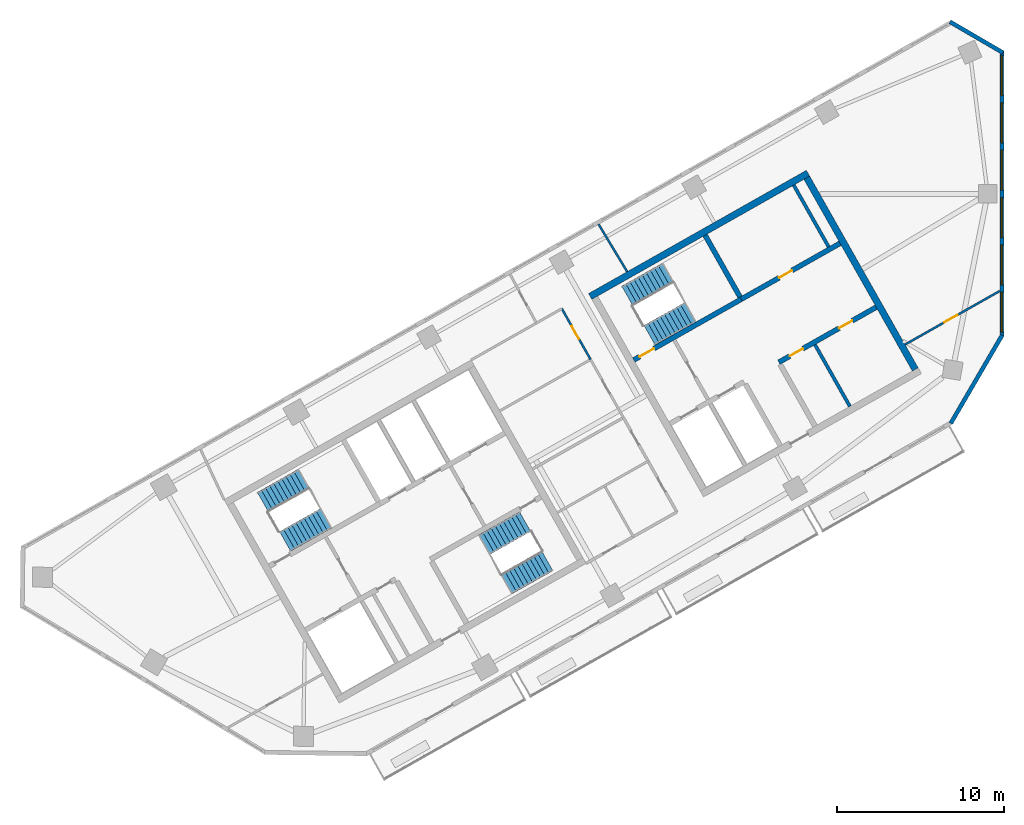
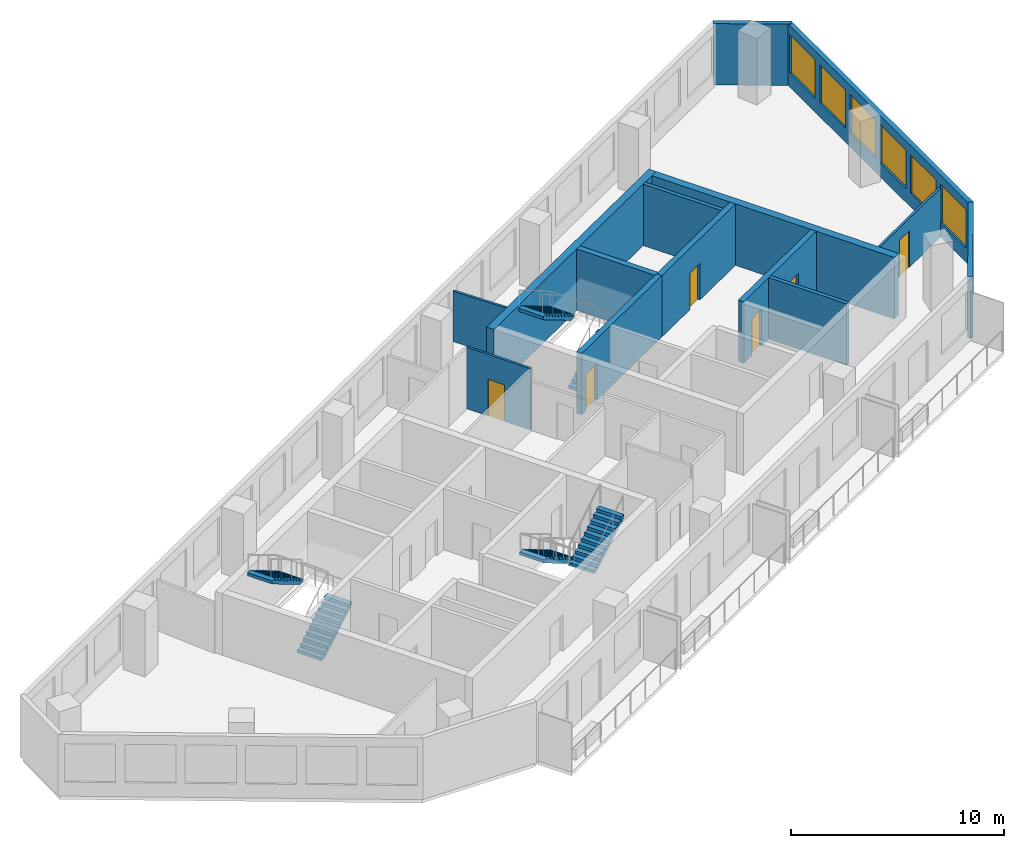
# One storey, part 5 of 7: 14 walls, 6 doors, 6 stair flights, 6 windows, 12 openings, 3 elements without a shape of their own.
"""IFC4 building model written with IfcOpenShell, lengths in metres."""

from ifc_helpers import new_model, si_unit, direction, frame, frame_2d, origin, place, context, subcontext, project, spatial, polyline, rectangle, outline, extrude, material, layer, layer_set, type_object, element, fill, aggregate, save


model = new_model("IFC4")

# Units and contexts
model_context = context("Model", 3, precision=1e-05, world=origin(), true_north=direction((0.0, 1.0)))
body_context = subcontext(model_context, "Body", "Model", "MODEL_VIEW")
ifc_project = project(units=[si_unit("LENGTHUNIT", "METRE"), si_unit("AREAUNIT", "SQUARE_METRE"), si_unit("VOLUMEUNIT", "CUBIC_METRE"), si_unit("PLANEANGLEUNIT", "RADIAN"), si_unit("MASSUNIT", "GRAM", prefix="KILO")], contexts=[model_context])

# Site, building, storey
site_placement = place(None, origin())
site = spatial("IfcSite", under=ifc_project, at=site_placement, CompositionType="ELEMENT")
building_placement = place(site_placement, origin())
building = spatial("IfcBuilding", under=site, at=building_placement, Name="Binnacle Exchange Tower", CompositionType="ELEMENT")
storey_placement = place(building_placement, frame((0.0, 0.0, 266.5)))
storey = spatial("IfcBuildingStorey", under=building, at=storey_placement, Name="L59", CompositionType="ELEMENT", Elevation=266.5)

# Wall
ifc_material_1 = material(Name="Gypsum partition fire rated")
ifc_layer_1 = layer(ifc_material_1, 0.199951171875)
ifc_layer_set_1 = layer_set([ifc_layer_1], Name="Core partition 200")
wall_type_1 = type_object("IfcWallType", Name="Core partition 200", PredefinedType="PARTITIONING", material=ifc_layer_set_1)
wall_1_placement = place(storey_placement, frame((-11.201904296875, 50.96240234375, 0.0), z_axis=(0.0, 0.0, 1.0), x_axis=(0.492441437811, -0.870345580977, 0.0)))
element("IfcWall", 1, at=wall_1_placement, inside=storey, type_object=wall_type_1, Name="Core wall CRWC19", PredefinedType="PARTITIONING", context=body_context, shape_type="SweptSolid", body=[
    extrude(rectangle(XDim=4.250244140625, YDim=0.199951171875, at=frame_2d((2.125, 0.0))), origin(), (0.0, 0.0, 1.0), 3.52001953125),
])

# Wall, openings, doors
ifc_material_2 = material(Name="Concrete C70/85", Category="concrete")
ifc_layer_2 = layer(ifc_material_2, 0.300048828125)
ifc_layer_set_2 = layer_set([ifc_layer_2], Name="Core wall - front 300")
wall_type_2 = type_object("IfcWallType", Name="Core wall - front 300", PredefinedType="SOLIDWALL", material=ifc_layer_set_2)
wall_2_placement = place(storey_placement, frame((-13.364501953125, 49.910888671875, 0.0), z_axis=(0.0, 0.0, 1.0), x_axis=(0.870347618718, 0.492437836272, 0.0)))
wall_2 = element("IfcWall", 2, at=wall_2_placement, inside=storey, type_object=wall_type_2, Name="Core wall CRWC3", PredefinedType="SOLIDWALL", context=body_context, shape_type="SweptSolid", body=[
    extrude(rectangle(XDim=6.699951171875, YDim=0.300048828125, at=frame_2d((3.35009765625, 0.0))), origin(), (0.0, 0.0, 1.0), 3.52001953125),
])
opening_1_placement = place(wall_2_placement, frame((0.75, 0.0, 0.0)))
opening_1 = element("IfcOpeningElement", 3, at=opening_1_placement, cuts=wall_2, Name="Opening DC18", PredefinedType="OPENING", context=body_context, shape_type="SweptSolid", body=[
    extrude(rectangle(XDim=0.89990234375, YDim=2.10009765625, at=frame_2d((0.449951171875, 1.050048828125))), frame((0.0, 0.159912109375, 0.0), z_axis=(0.0, -1.0, 0.0), x_axis=(1.0, 0.0, 0.0)), (0.0, 0.0, 1.0), 0.320068359375),
])
opening_2_placement = place(wall_2_placement, frame((4.14990234375, 0.0, 0.0)))
opening_2 = element("IfcOpeningElement", 4, at=opening_2_placement, cuts=wall_2, Name="Opening DC19", PredefinedType="OPENING", context=body_context, shape_type="SweptSolid", body=[
    extrude(rectangle(XDim=0.89990234375, YDim=2.10009765625, at=frame_2d((0.449951171875, 1.050048828125))), frame((0.0, 0.159912109375, 0.0), z_axis=(0.0, -1.0, 0.0), x_axis=(1.0, 0.0, 0.0)), (0.0, 0.0, 1.0), 0.320068359375),
])
ifc_material_3 = material(Name="Steel door leaf", Category="steel")
door_type_1 = type_object("IfcDoorType", Name="Fire door 900", OperationType="NOTDEFINED", PredefinedType="DOOR", material=ifc_material_3)
door_1_placement = place(opening_1_placement, frame((0.89990234375, 0.0, 0.0), z_axis=(0.0, 0.0, 1.0), x_axis=(-1.0, 0.0, 0.0)))
door_1 = element("IfcDoor", 5, at=door_1_placement, inside=storey, type_object=door_type_1, Name="Core room door FIBRE ENTRY ROOM", OperationType="SINGLE_SWING_RIGHT", OverallHeight=2.10009765625, OverallWidth=0.89990234375, PredefinedType="DOOR", context=body_context, shape_type="SweptSolid", body=[
    extrude(rectangle(XDim=0.89990234375, YDim=2.10009765625, at=frame_2d((0.449951171875, 1.050048828125))), frame((0.0, 0.02490234375, 0.0), z_axis=(0.0, -1.0, 0.0), x_axis=(1.0, 0.0, 0.0)), (0.0, 0.0, 1.0), 0.050048828125),
])
fill(opening_1, door_1)
door_2_placement = place(opening_2_placement, frame((0.89990234375, 0.0, 0.0), z_axis=(0.0, 0.0, 1.0), x_axis=(-1.0, 0.0, 0.0)))
door_2 = element("IfcDoor", 6, at=door_2_placement, inside=storey, type_object=door_type_1, Name="Core room door TELECOM RISER ROOM", OperationType="SINGLE_SWING_LEFT", OverallHeight=2.10009765625, OverallWidth=0.89990234375, PredefinedType="DOOR", context=body_context, shape_type="SweptSolid", body=[
    extrude(rectangle(XDim=0.89990234375, YDim=2.10009765625, at=frame_2d((0.449951171875, 1.050048828125))), frame((0.0, 0.02490234375, 0.0), z_axis=(0.0, -1.0, 0.0), x_axis=(1.0, 0.0, 0.0)), (0.0, 0.0, 1.0), 0.050048828125),
])
fill(opening_2, door_2)

# Wall, opening, door
wall_3_placement = place(storey_placement, frame((-15.6181640625, 53.69140625, 0.0), z_axis=(0.0, 0.0, 1.0), x_axis=(0.870362830851, 0.492410948978, 0.0)))
wall_3 = element("IfcWall", 7, at=wall_3_placement, inside=storey, type_object=wall_type_2, Name="Core wall CRWC5", PredefinedType="SOLIDWALL", context=body_context, shape_type="SweptSolid", body=[
    extrude(rectangle(XDim=6.800048828125, YDim=0.300048828125, at=frame_2d((3.39990234375, 0.0))), origin(), (0.0, 0.0, 1.0), 3.52001953125),
])
opening_3_placement = place(wall_3_placement, frame((2.60009765625, 0.0, 0.0)))
opening_3 = element("IfcOpeningElement", 8, at=opening_3_placement, cuts=wall_3, Name="Opening DC10", PredefinedType="OPENING", context=body_context, shape_type="SweptSolid", body=[
    extrude(rectangle(XDim=0.89990234375, YDim=2.10009765625, at=frame_2d((0.449951171875, 1.050048828125))), frame((0.0, 0.159912109375, 0.0), z_axis=(0.0, -1.0, 0.0), x_axis=(1.0, 0.0, 0.0)), (0.0, 0.0, 1.0), 0.320068359375),
])
door_3_placement = place(opening_3_placement, origin())
door_3 = element("IfcDoor", 9, at=door_3_placement, inside=storey, type_object=door_type_1, Name="Core room door WORKSHOP STORE", OperationType="SINGLE_SWING_LEFT", OverallHeight=2.10009765625, OverallWidth=0.89990234375, PredefinedType="DOOR", context=body_context, shape_type="SweptSolid", body=[
    extrude(rectangle(XDim=0.89990234375, YDim=2.10009765625, at=frame_2d((0.449951171875, 1.050048828125))), frame((0.0, 0.02490234375, 0.0), z_axis=(0.0, -1.0, 0.0), x_axis=(1.0, 0.0, 0.0)), (0.0, 0.0, 1.0), 0.050048828125),
])
fill(opening_3, door_3)

# Walls
ifc_layer_3 = layer(ifc_material_2, 0.39990234375)
ifc_layer_set_3 = layer_set([ifc_layer_3], Name="Core wall - outer 400")
wall_type_3 = type_object("IfcWallType", Name="Core wall - outer 400", PredefinedType="SOLIDWALL", material=ifc_layer_set_3)
wall_4_placement = place(storey_placement, frame((-24.672119140625, 53.85400390625, 0.0), z_axis=(0.0, 0.0, 1.0), x_axis=(0.870353598469, 0.492427267353, 0.0)))
element("IfcWall", 10, at=wall_4_placement, inside=storey, type_object=wall_type_3, Name="Core wall CRWC6", PredefinedType="SOLIDWALL", context=body_context, shape_type="SweptSolid", body=[
    extrude(rectangle(XDim=15.000244140625, YDim=0.39990234375, at=frame_2d((7.5, 0.0))), origin(), (0.0, 0.0, 1.0), 3.52001953125),
])
wall_5_placement = place(storey_placement, frame((-11.6923828125, 60.968017578125, 0.0), z_axis=(0.0, 0.0, 1.0), x_axis=(0.492421663121, -0.870356769198, 0.0)))
element("IfcWall", 11, at=wall_5_placement, inside=storey, type_object=wall_type_3, Name="Core wall CRWC24", PredefinedType="SOLIDWALL", context=body_context, shape_type="SweptSolid", body=[
    extrude(rectangle(XDim=13.199951171875, YDim=0.39990234375, at=frame_2d((6.60009765625, 0.0))), origin(), (0.0, 0.0, 1.0), 3.52001953125),
])

# Wall, opening, door
ifc_layer_4 = layer(ifc_material_2, 0.300048828125)
ifc_layer_set_4 = layer_set([ifc_layer_4], Name="Core wall - stair 300")
wall_type_4 = type_object("IfcWallType", Name="Core wall - stair 300", PredefinedType="SOLIDWALL", material=ifc_layer_set_4)
wall_6_placement = place(storey_placement, frame((-22.058837890625, 50.04736328125, 0.0), z_axis=(0.0, 0.0, 1.0), x_axis=(0.87035077051, 0.49243226567, 0.0)))
wall_6 = element("IfcWall", 12, at=wall_6_placement, inside=storey, type_object=wall_type_4, Name="Core wall CRWC4", PredefinedType="SOLIDWALL", context=body_context, shape_type="SweptSolid", body=[
    extrude(rectangle(XDim=7.400146484375, YDim=0.300048828125, at=frame_2d((3.7001953125, 0.0))), origin(), (0.0, 0.0, 1.0), 3.52001953125),
])
opening_4_placement = place(wall_6_placement, frame((0.39990234375, 0.0, 0.0)))
opening_4 = element("IfcOpeningElement", 13, at=opening_4_placement, cuts=wall_6, Name="Opening DC1", PredefinedType="OPENING", context=body_context, shape_type="SweptSolid", body=[
    extrude(rectangle(XDim=1.0, YDim=2.10009765625, at=frame_2d((0.5, 1.050048828125))), frame((0.0, 0.159912109375, 0.0), z_axis=(0.0, -1.0, 0.0), x_axis=(1.0, 0.0, 0.0)), (0.0, 0.0, 1.0), 0.320068359375),
])
door_type_2 = type_object("IfcDoorType", Name="Fire door 1000", OperationType="NOTDEFINED", PredefinedType="DOOR", material=ifc_material_3)
door_4_placement = place(opening_4_placement, origin())
door_4 = element("IfcDoor", 14, at=door_4_placement, inside=storey, type_object=door_type_2, Name="Stair door ST-C1", OperationType="SINGLE_SWING_LEFT", OverallHeight=2.10009765625, OverallWidth=1.0, PredefinedType="DOOR", context=body_context, shape_type="SweptSolid", body=[
    extrude(rectangle(XDim=1.0, YDim=2.10009765625, at=frame_2d((0.5, 1.050048828125))), frame((0.0, 0.02490234375, 0.0), z_axis=(0.0, -1.0, 0.0), x_axis=(1.0, 0.0, 0.0)), (0.0, 0.0, 1.0), 0.050048828125),
])
fill(opening_4, door_4)

# Walls
wall_7_placement = place(storey_placement, frame((-17.784912109375, 57.52099609375, 0.0), z_axis=(0.0, 0.0, 1.0), x_axis=(0.492422543467, -0.870356271124, 0.0)))
element("IfcWall", 15, at=wall_7_placement, inside=storey, type_object=wall_type_4, Name="Core wall CRWC14", PredefinedType="SOLIDWALL", context=body_context, shape_type="SweptSolid", body=[
    extrude(rectangle(XDim=4.25, YDim=0.300048828125, at=frame_2d((2.125, 0.0))), origin(), (0.0, 0.0, 1.0), 3.52001953125),
])
ifc_material_4 = material(Name="Bronze aluminium cladding", Category="aluminium")
ifc_layer_5 = layer(ifc_material_4, 0.25)
ifc_layer_set_5 = layer_set([ifc_layer_5], Name="External wall - window wall 250")
wall_type_5 = type_object("IfcWallType", Name="External wall - window wall 250", PredefinedType="STANDARD", material=ifc_layer_set_5)
wall_8_placement = place(storey_placement, frame((0.01708984375, 51.529296875, 0.0), z_axis=(0.0, 0.0, 1.0), x_axis=(-0.503769237131, -0.863838269424, 0.0)))
element("IfcWall", 16, at=wall_8_placement, inside=storey, type_object=wall_type_5, Name="External wall EW-H00 L59", PredefinedType="STANDARD", context=body_context, shape_type="SweptSolid", body=[
    extrude(rectangle(XDim=6.114501953125, YDim=0.25, at=frame_2d((3.05712890625, 0.0))), origin(), (0.0, 0.0, 1.0), 3.52001953125),
])

# Wall, openings, windows
wall_9_placement = place(storey_placement, frame((0.0, 68.57177734375, 0.0), z_axis=(0.0, 0.0, 1.0), x_axis=(0.0, -1.0, 0.0)))
wall_9 = element("IfcWall", 17, at=wall_9_placement, inside=storey, type_object=wall_type_5, Name="External wall EW-H01 L59", PredefinedType="STANDARD", context=body_context, shape_type="SweptSolid", body=[
    extrude(rectangle(XDim=17.10546875, YDim=0.25, at=frame_2d((8.552734375, 0.0))), origin(), (0.0, 0.0, 1.0), 3.52001953125),
])
opening_5_placement = place(wall_9_placement, frame((14.455078125, 0.0, 0.800048828125)))
opening_5 = element("IfcOpeningElement", 18, at=opening_5_placement, cuts=wall_9, Name="Opening WR2", PredefinedType="OPENING", context=body_context, shape_type="SweptSolid", body=[
    extrude(rectangle(XDim=2.39990234375, YDim=2.199951171875, at=frame_2d((1.199951171875, 1.10009765625))), frame((0.0, 0.135009765625, 0.0), z_axis=(0.0, -1.0, 0.0), x_axis=(1.0, 0.0, 0.0)), (0.0, 0.0, 1.0), 0.27001953125),
])
opening_6_placement = place(wall_9_placement, frame((11.621826171875, 0.0, 0.800048828125)))
opening_6 = element("IfcOpeningElement", 19, at=opening_6_placement, cuts=wall_9, Name="Opening WR2", PredefinedType="OPENING", context=body_context, shape_type="SweptSolid", body=[
    extrude(rectangle(XDim=2.39990234375, YDim=2.199951171875, at=frame_2d((1.199951171875, 1.10009765625))), frame((0.0, 0.135009765625, 0.0), z_axis=(0.0, -1.0, 0.0), x_axis=(1.0, 0.0, 0.0)), (0.0, 0.0, 1.0), 0.27001953125),
])
opening_7_placement = place(wall_9_placement, frame((8.78857421875, 0.0, 0.800048828125)))
opening_7 = element("IfcOpeningElement", 20, at=opening_7_placement, cuts=wall_9, Name="Opening WR2", PredefinedType="OPENING", context=body_context, shape_type="SweptSolid", body=[
    extrude(rectangle(XDim=2.39990234375, YDim=2.199951171875, at=frame_2d((1.199951171875, 1.10009765625))), frame((0.0, 0.135009765625, 0.0), z_axis=(0.0, -1.0, 0.0), x_axis=(1.0, 0.0, 0.0)), (0.0, 0.0, 1.0), 0.27001953125),
])
opening_8_placement = place(wall_9_placement, frame((5.955078125, 0.0, 0.800048828125)))
opening_8 = element("IfcOpeningElement", 21, at=opening_8_placement, cuts=wall_9, Name="Opening WR2", PredefinedType="OPENING", context=body_context, shape_type="SweptSolid", body=[
    extrude(rectangle(XDim=2.39990234375, YDim=2.199951171875, at=frame_2d((1.199951171875, 1.10009765625))), frame((0.0, 0.135009765625, 0.0), z_axis=(0.0, -1.0, 0.0), x_axis=(1.0, 0.0, 0.0)), (0.0, 0.0, 1.0), 0.27001953125),
])
opening_9_placement = place(wall_9_placement, frame((3.121826171875, 0.0, 0.800048828125)))
opening_9 = element("IfcOpeningElement", 22, at=opening_9_placement, cuts=wall_9, Name="Opening WR2", PredefinedType="OPENING", context=body_context, shape_type="SweptSolid", body=[
    extrude(rectangle(XDim=2.39990234375, YDim=2.199951171875, at=frame_2d((1.199951171875, 1.10009765625))), frame((0.0, 0.135009765625, 0.0), z_axis=(0.0, -1.0, 0.0), x_axis=(1.0, 0.0, 0.0)), (0.0, 0.0, 1.0), 0.27001953125),
])
opening_10_placement = place(wall_9_placement, frame((0.28857421875, 0.0, 0.800048828125)))
opening_10 = element("IfcOpeningElement", 23, at=opening_10_placement, cuts=wall_9, Name="Opening WR2", PredefinedType="OPENING", context=body_context, shape_type="SweptSolid", body=[
    extrude(rectangle(XDim=2.39990234375, YDim=2.199951171875, at=frame_2d((1.199951171875, 1.10009765625))), frame((0.0, 0.135009765625, 0.0), z_axis=(0.0, -1.0, 0.0), x_axis=(1.0, 0.0, 0.0)), (0.0, 0.0, 1.0), 0.27001953125),
])
ifc_material_5 = material(Name="Bronze anodised aluminium frame", Category="aluminium")
window_type = type_object("IfcWindowType", Name="WR2 WINDOW 2400x2200", PartitioningType="SINGLE_PANEL", PredefinedType="WINDOW", material=ifc_material_5)
window_1_placement = place(opening_5_placement, origin())
window_1 = element("IfcWindow", 24, at=window_1_placement, inside=storey, type_object=window_type, Name="Window WR2 L59", OverallHeight=2.199951171875, OverallWidth=2.39990234375, PartitioningType="SINGLE_PANEL", PredefinedType="WINDOW", context=body_context, shape_type="SweptSolid", body=[
    extrude(rectangle(XDim=2.39990234375, YDim=2.199951171875, at=frame_2d((1.199951171875, 1.10009765625))), frame((0.0, 0.030029296875, 0.0), z_axis=(0.0, -1.0, 0.0), x_axis=(1.0, 0.0, 0.0)), (0.0, 0.0, 1.0), 0.06005859375),
])
fill(opening_5, window_1)
window_2_placement = place(opening_6_placement, origin())
window_2 = element("IfcWindow", 25, at=window_2_placement, inside=storey, type_object=window_type, Name="Window WR2 L59", OverallHeight=2.199951171875, OverallWidth=2.39990234375, PartitioningType="SINGLE_PANEL", PredefinedType="WINDOW", context=body_context, shape_type="SweptSolid", body=[
    extrude(rectangle(XDim=2.39990234375, YDim=2.199951171875, at=frame_2d((1.199951171875, 1.10009765625))), frame((0.0, 0.030029296875, 0.0), z_axis=(0.0, -1.0, 0.0), x_axis=(1.0, 0.0, 0.0)), (0.0, 0.0, 1.0), 0.06005859375),
])
fill(opening_6, window_2)
window_3_placement = place(opening_7_placement, origin())
window_3 = element("IfcWindow", 26, at=window_3_placement, inside=storey, type_object=window_type, Name="Window WR2 L59", OverallHeight=2.199951171875, OverallWidth=2.39990234375, PartitioningType="SINGLE_PANEL", PredefinedType="WINDOW", context=body_context, shape_type="SweptSolid", body=[
    extrude(rectangle(XDim=2.39990234375, YDim=2.199951171875, at=frame_2d((1.199951171875, 1.10009765625))), frame((0.0, 0.030029296875, 0.0), z_axis=(0.0, -1.0, 0.0), x_axis=(1.0, 0.0, 0.0)), (0.0, 0.0, 1.0), 0.06005859375),
])
fill(opening_7, window_3)
window_4_placement = place(opening_8_placement, origin())
window_4 = element("IfcWindow", 27, at=window_4_placement, inside=storey, type_object=window_type, Name="Window WR2 L59", OverallHeight=2.199951171875, OverallWidth=2.39990234375, PartitioningType="SINGLE_PANEL", PredefinedType="WINDOW", context=body_context, shape_type="SweptSolid", body=[
    extrude(rectangle(XDim=2.39990234375, YDim=2.199951171875, at=frame_2d((1.199951171875, 1.10009765625))), frame((0.0, 0.030029296875, 0.0), z_axis=(0.0, -1.0, 0.0), x_axis=(1.0, 0.0, 0.0)), (0.0, 0.0, 1.0), 0.06005859375),
])
fill(opening_8, window_4)
window_5_placement = place(opening_9_placement, origin())
window_5 = element("IfcWindow", 28, at=window_5_placement, inside=storey, type_object=window_type, Name="Window WR2 L59", OverallHeight=2.199951171875, OverallWidth=2.39990234375, PartitioningType="SINGLE_PANEL", PredefinedType="WINDOW", context=body_context, shape_type="SweptSolid", body=[
    extrude(rectangle(XDim=2.39990234375, YDim=2.199951171875, at=frame_2d((1.199951171875, 1.10009765625))), frame((0.0, 0.030029296875, 0.0), z_axis=(0.0, -1.0, 0.0), x_axis=(1.0, 0.0, 0.0)), (0.0, 0.0, 1.0), 0.06005859375),
])
fill(opening_9, window_5)
window_6_placement = place(opening_10_placement, origin())
window_6 = element("IfcWindow", 29, at=window_6_placement, inside=storey, type_object=window_type, Name="Window WR2 L59", OverallHeight=2.199951171875, OverallWidth=2.39990234375, PartitioningType="SINGLE_PANEL", PredefinedType="WINDOW", context=body_context, shape_type="SweptSolid", body=[
    extrude(rectangle(XDim=2.39990234375, YDim=2.199951171875, at=frame_2d((1.199951171875, 1.10009765625))), frame((0.0, 0.030029296875, 0.0), z_axis=(0.0, -1.0, 0.0), x_axis=(1.0, 0.0, 0.0)), (0.0, 0.0, 1.0), 0.06005859375),
])
fill(opening_10, window_6)

# Wall
wall_10_placement = place(storey_placement, frame((-3.108154296875, 70.312744140625, 0.0), z_axis=(0.0, 0.0, 1.0), x_axis=(0.86382474085, -0.503792434536, 0.0)))
element("IfcWall", 30, at=wall_10_placement, inside=storey, type_object=wall_type_5, Name="External wall EW-H02 L59", PredefinedType="STANDARD", context=body_context, shape_type="SweptSolid", body=[
    extrude(rectangle(XDim=3.669921875, YDim=0.25, at=frame_2d((1.8349609375, 0.0))), origin(), (0.0, 0.0, 1.0), 3.52001953125),
])

# Wall, opening, door
ifc_material_6 = material(Name="Gypsum partition")
ifc_layer_6 = layer(ifc_material_6, 0.125)
ifc_layer_set_6 = layer_set([ifc_layer_6], Name="Partition 125")
wall_type_6 = type_object("IfcWallType", Name="Partition 125", PredefinedType="PARTITIONING", material=ifc_layer_set_6)
wall_11_placement = place(storey_placement, frame((-26.373046875, 53.1220703125, 0.0), z_axis=(0.0, 0.0, 1.0), x_axis=(0.492454723656, -0.870338063714, 0.0)))
wall_11 = element("IfcWall", 31, at=wall_11_placement, inside=storey, type_object=wall_type_6, Name="Partition W09", PredefinedType="PARTITIONING", context=body_context, shape_type="SweptSolid", body=[
    extrude(rectangle(XDim=3.5009765625, YDim=0.125, at=frame_2d((1.75048828125, 0.0))), origin(), (0.0, 0.0, 1.0), 3.52001953125),
])
opening_11_placement = place(wall_11_placement, frame((1.199951171875, 0.0, 0.0)))
opening_11 = element("IfcOpeningElement", 32, at=opening_11_placement, cuts=wall_11, Name="Opening DL58-07", PredefinedType="OPENING", context=body_context, shape_type="SweptSolid", body=[
    extrude(rectangle(XDim=0.89990234375, YDim=2.10009765625, at=frame_2d((0.449951171875, 1.050048828125))), frame((0.0, 0.072509765625, 0.0), z_axis=(0.0, -1.0, 0.0), x_axis=(1.0, 0.0, 0.0)), (0.0, 0.0, 1.0), 0.14501953125),
])
ifc_material_7 = material(Name="Timber door leaf", Category="wood")
door_type_3 = type_object("IfcDoorType", Name="Door 900", OperationType="NOTDEFINED", PredefinedType="DOOR", material=ifc_material_7)
door_5_placement = place(opening_11_placement, frame((0.89990234375, 0.0, 0.0), z_axis=(0.0, 0.0, 1.0), x_axis=(-1.0, 0.0, 0.0)))
door_5 = element("IfcDoor", 33, at=door_5_placement, inside=storey, type_object=door_type_3, Name="Door DL58-07", OperationType="SINGLE_SWING_RIGHT", OverallHeight=2.10009765625, OverallWidth=0.89990234375, PredefinedType="DOOR", context=body_context, shape_type="SweptSolid", body=[
    extrude(rectangle(XDim=0.89990234375, YDim=2.10009765625, at=frame_2d((0.449951171875, 1.050048828125))), frame((0.0, 0.02490234375, 0.0), z_axis=(0.0, -1.0, 0.0), x_axis=(1.0, 0.0, 0.0)), (0.0, 0.0, 1.0), 0.050048828125),
])
fill(opening_11, door_5)

# Wall
wall_12_placement = place(storey_placement, frame((-24.1708984375, 58.180908203125, 0.0), z_axis=(0.0, 0.0, 1.0), x_axis=(0.516494881882, -0.856290276127, 0.0)))
element("IfcWall", 34, at=wall_12_placement, inside=storey, type_object=wall_type_6, Name="Partition W12", PredefinedType="PARTITIONING", context=body_context, shape_type="SweptSolid", body=[
    extrude(rectangle(XDim=3.320068359375, YDim=0.125, at=frame_2d((1.66015625, 0.0))), origin(), (0.0, 0.0, 1.0), 2.887939453125),
])

# Wall, opening, door
wall_13_placement = place(storey_placement, frame((-5.805908203125, 50.969970703125, 0.0), z_axis=(0.0, 0.0, 1.0), x_axis=(0.870355163327, 0.492424501492, 0.0)))
wall_13 = element("IfcWall", 35, at=wall_13_placement, inside=storey, type_object=wall_type_6, Name="Partition W18", PredefinedType="PARTITIONING", context=body_context, shape_type="SweptSolid", body=[
    extrude(rectangle(XDim=6.527099609375, YDim=0.125, at=frame_2d((3.263671875, 0.0))), origin(), (0.0, 0.0, 1.0), 2.800048828125),
])
opening_12_placement = place(wall_13_placement, frame((2.699951171875, 0.0, 0.0)))
opening_12 = element("IfcOpeningElement", 36, at=opening_12_placement, cuts=wall_13, Name="Opening DL58-08", PredefinedType="OPENING", context=body_context, shape_type="SweptSolid", body=[
    extrude(rectangle(XDim=0.89990234375, YDim=2.10009765625, at=frame_2d((0.449951171875, 1.050048828125))), frame((0.0, 0.072509765625, 0.0), z_axis=(0.0, -1.0, 0.0), x_axis=(1.0, 0.0, 0.0)), (0.0, 0.0, 1.0), 0.14501953125),
])
door_6_placement = place(opening_12_placement, origin())
door_6 = element("IfcDoor", 37, at=door_6_placement, inside=storey, type_object=door_type_3, Name="Door DL58-08", OperationType="SINGLE_SWING_LEFT", OverallHeight=2.10009765625, OverallWidth=0.89990234375, PredefinedType="DOOR", context=body_context, shape_type="SweptSolid", body=[
    extrude(rectangle(XDim=0.89990234375, YDim=2.10009765625, at=frame_2d((0.449951171875, 1.050048828125))), frame((0.0, 0.02490234375, 0.0), z_axis=(0.0, -1.0, 0.0), x_axis=(1.0, 0.0, 0.0)), (0.0, 0.0, 1.0), 0.050048828125),
])
fill(opening_12, door_6)

# Wall
ifc_material_8 = material(Name="Masonry block wall", Category="masonry")
ifc_layer_7 = layer(ifc_material_8, 0.199951171875)
ifc_layer_set_7 = layer_set([ifc_layer_7], Name="Riser wall 200")
wall_type_7 = type_object("IfcWallType", Name="Riser wall 200", PredefinedType="SOLIDWALL", material=ifc_layer_set_7)
wall_14_placement = place(storey_placement, frame((-12.4755859375, 60.524658203125, 0.0), z_axis=(0.0, 0.0, 1.0), x_axis=(0.492422543467, -0.870356271124, 0.0)))
element("IfcWall", 38, at=wall_14_placement, inside=storey, type_object=wall_type_7, Name="Core wall CRWC23", PredefinedType="SOLIDWALL", context=body_context, shape_type="SweptSolid", body=[
    extrude(rectangle(XDim=4.25, YDim=0.199951171875, at=frame_2d((2.125, 0.0))), origin(), (0.0, 0.0, 1.0), 3.52001953125),
])

# Stair, stair flights
ifc_material_9 = material(Name="Concrete C35/45", Category="concrete")
stair_type = type_object("IfcStairType", Name="STAIR 22 RISERS 173", PredefinedType="HALF_TURN_STAIR", material=ifc_material_9)
stair_1_placement = place(storey_placement, origin())
stair_1 = element("IfcStair", 39, at=stair_1_placement, inside=storey, type_object=stair_type, Name="L59 Escape stair A1", PredefinedType="HALF_TURN_STAIR")
stair_flight_type = type_object("IfcStairFlightType", Name="STAIR FLIGHT 173X280", PredefinedType="STRAIGHT", material=ifc_material_9)
stair_flight_1_placement = place(storey_placement, frame((-42.9541015625, 39.17333984375, 0.0), z_axis=(0.0, 0.0, 1.0), x_axis=(0.870355584213, 0.492423757581, 0.0)))
stair_flight_1 = element("IfcStairFlight", 40, at=stair_flight_1_placement, type_object=stair_flight_type, Name="STA1 flight 1", NumberOfRisers=11, NumberOfTreads=10, PredefinedType="STRAIGHT", RiserHeight=0.172727273, TreadLength=0.28, context=body_context, shape_type="SweptSolid", body=[
    extrude(outline(polyline([(0.0, 0.0), (0.0, 0.172607421875), (0.280029296875, 0.172607421875), (0.280029296875, 0.345458984375), (0.56005859375, 0.345458984375), (0.56005859375, 0.51806640625), (0.840087890625, 0.51806640625), (0.840087890625, 0.69091796875), (1.1201171875, 0.69091796875), (1.1201171875, 0.863525390625), (1.39990234375, 0.863525390625), (1.39990234375, 1.036376953125), (1.679931640625, 1.036376953125), (1.679931640625, 1.208984375), (1.9599609375, 1.208984375), (1.9599609375, 1.3818359375), (2.239990234375, 1.3818359375), (2.239990234375, 1.554443359375), (2.52001953125, 1.554443359375), (2.52001953125, 1.727294921875), (2.800048828125, 1.727294921875), (2.800048828125, 1.89990234375), (2.800048828125, 1.551025390625), (0.285400390625, 0.0), (0.0, 0.0)])), frame((0.0, 0.675048828125, 0.0), z_axis=(0.0, -1.0, 0.0), x_axis=(1.0, 0.0, 0.0)), (0.0, 0.0, 1.0), 1.35009765625),
])
stair_flight_2_placement = place(storey_placement, frame((-41.846435546875, 42.902099609375, 1.89990234375), z_axis=(0.0, 0.0, 1.0), x_axis=(-0.870355584213, -0.492423757581, 0.0)))
stair_flight_2 = element("IfcStairFlight", 41, at=stair_flight_2_placement, type_object=stair_flight_type, Name="STA1 flight 2", NumberOfRisers=11, NumberOfTreads=10, PredefinedType="STRAIGHT", RiserHeight=0.172727273, TreadLength=0.28, context=body_context, shape_type="SweptSolid", body=[
    extrude(outline(polyline([(0.0, 0.0), (0.0, 0.172607421875), (0.280029296875, 0.172607421875), (0.280029296875, 0.345458984375), (0.56005859375, 0.345458984375), (0.56005859375, 0.51806640625), (0.840087890625, 0.51806640625), (0.840087890625, 0.69091796875), (1.1201171875, 0.69091796875), (1.1201171875, 0.863525390625), (1.39990234375, 0.863525390625), (1.39990234375, 1.036376953125), (1.679931640625, 1.036376953125), (1.679931640625, 1.208984375), (1.9599609375, 1.208984375), (1.9599609375, 1.3818359375), (2.239990234375, 1.3818359375), (2.239990234375, 1.554443359375), (2.52001953125, 1.554443359375), (2.52001953125, 1.727294921875), (2.800048828125, 1.727294921875), (2.800048828125, 1.89990234375), (2.800048828125, 1.551025390625), (0.285400390625, 0.0), (0.0, 0.0)])), frame((0.0, 0.675048828125, 0.0), z_axis=(0.0, -1.0, 0.0), x_axis=(1.0, 0.0, 0.0)), (0.0, 0.0, 1.0), 1.35009765625),
])
aggregate(stair_1, [stair_flight_1, stair_flight_2])

stair_2_placement = place(storey_placement, origin())
stair_2 = element("IfcStair", 42, at=stair_2_placement, inside=storey, type_object=stair_type, Name="L59 Escape stair A2", PredefinedType="HALF_TURN_STAIR")
stair_flight_3_placement = place(storey_placement, frame((-28.5732421875, 40.3583984375, 0.0), z_axis=(0.0, 0.0, 1.0), x_axis=(-0.870355584213, -0.492423757581, 0.0)))
stair_flight_3 = element("IfcStairFlight", 43, at=stair_flight_3_placement, type_object=stair_flight_type, Name="STA2 flight 1", NumberOfRisers=11, NumberOfTreads=10, PredefinedType="STRAIGHT", RiserHeight=0.172727273, TreadLength=0.28, context=body_context, shape_type="SweptSolid", body=[
    extrude(outline(polyline([(0.0, 0.0), (0.0, 0.172607421875), (0.280029296875, 0.172607421875), (0.280029296875, 0.345458984375), (0.56005859375, 0.345458984375), (0.56005859375, 0.51806640625), (0.840087890625, 0.51806640625), (0.840087890625, 0.69091796875), (1.1201171875, 0.69091796875), (1.1201171875, 0.863525390625), (1.39990234375, 0.863525390625), (1.39990234375, 1.036376953125), (1.679931640625, 1.036376953125), (1.679931640625, 1.208984375), (1.9599609375, 1.208984375), (1.9599609375, 1.3818359375), (2.239990234375, 1.3818359375), (2.239990234375, 1.554443359375), (2.52001953125, 1.554443359375), (2.52001953125, 1.727294921875), (2.800048828125, 1.727294921875), (2.800048828125, 1.89990234375), (2.800048828125, 1.551025390625), (0.285400390625, 0.0), (0.0, 0.0)])), frame((0.0, 0.675048828125, 0.0), z_axis=(0.0, -1.0, 0.0), x_axis=(1.0, 0.0, 0.0)), (0.0, 0.0, 1.0), 1.35009765625),
])
stair_flight_4_placement = place(storey_placement, frame((-29.6806640625, 36.629638671875, 1.89990234375), z_axis=(0.0, 0.0, 1.0), x_axis=(0.870355584213, 0.492423757581, 0.0)))
stair_flight_4 = element("IfcStairFlight", 44, at=stair_flight_4_placement, type_object=stair_flight_type, Name="STA2 flight 2", NumberOfRisers=11, NumberOfTreads=10, PredefinedType="STRAIGHT", RiserHeight=0.172727273, TreadLength=0.28, context=body_context, shape_type="SweptSolid", body=[
    extrude(outline(polyline([(0.0, 0.0), (0.0, 0.172607421875), (0.280029296875, 0.172607421875), (0.280029296875, 0.345458984375), (0.56005859375, 0.345458984375), (0.56005859375, 0.51806640625), (0.840087890625, 0.51806640625), (0.840087890625, 0.69091796875), (1.1201171875, 0.69091796875), (1.1201171875, 0.863525390625), (1.39990234375, 0.863525390625), (1.39990234375, 1.036376953125), (1.679931640625, 1.036376953125), (1.679931640625, 1.208984375), (1.9599609375, 1.208984375), (1.9599609375, 1.3818359375), (2.239990234375, 1.3818359375), (2.239990234375, 1.554443359375), (2.52001953125, 1.554443359375), (2.52001953125, 1.727294921875), (2.800048828125, 1.727294921875), (2.800048828125, 1.89990234375), (2.800048828125, 1.551025390625), (0.285400390625, 0.0), (0.0, 0.0)])), frame((0.0, 0.675048828125, 0.0), z_axis=(0.0, -1.0, 0.0), x_axis=(1.0, 0.0, 0.0)), (0.0, 0.0, 1.0), 1.35009765625),
])
aggregate(stair_2, [stair_flight_3, stair_flight_4])

stair_3_placement = place(storey_placement, origin())
stair_3 = element("IfcStair", 45, at=stair_3_placement, inside=storey, type_object=stair_type, Name="L59 Escape stair C1", PredefinedType="HALF_TURN_STAIR")
stair_flight_5_placement = place(storey_placement, frame((-21.115966796875, 51.528564453125, 0.0), z_axis=(0.0, 0.0, 1.0), x_axis=(0.870355584213, 0.492423757581, 0.0)))
stair_flight_5 = element("IfcStairFlight", 46, at=stair_flight_5_placement, type_object=stair_flight_type, Name="STC1 flight 1", NumberOfRisers=11, NumberOfTreads=10, PredefinedType="STRAIGHT", RiserHeight=0.172727273, TreadLength=0.28, context=body_context, shape_type="SweptSolid", body=[
    extrude(outline(polyline([(0.0, 0.0), (0.0, 0.172607421875), (0.280029296875, 0.172607421875), (0.280029296875, 0.345458984375), (0.56005859375, 0.345458984375), (0.56005859375, 0.51806640625), (0.840087890625, 0.51806640625), (0.840087890625, 0.69091796875), (1.1201171875, 0.69091796875), (1.1201171875, 0.863525390625), (1.39990234375, 0.863525390625), (1.39990234375, 1.036376953125), (1.679931640625, 1.036376953125), (1.679931640625, 1.208984375), (1.9599609375, 1.208984375), (1.9599609375, 1.3818359375), (2.239990234375, 1.3818359375), (2.239990234375, 1.554443359375), (2.52001953125, 1.554443359375), (2.52001953125, 1.727294921875), (2.800048828125, 1.727294921875), (2.800048828125, 1.89990234375), (2.800048828125, 1.551025390625), (0.285400390625, 0.0), (0.0, 0.0)])), frame((0.0, 0.675048828125, 0.0), z_axis=(0.0, -1.0, 0.0), x_axis=(1.0, 0.0, 0.0)), (0.0, 0.0, 1.0), 1.35009765625),
])
stair_flight_6_placement = place(storey_placement, frame((-20.008544921875, 55.25732421875, 1.89990234375), z_axis=(0.0, 0.0, 1.0), x_axis=(-0.870355584213, -0.492423757581, 0.0)))
stair_flight_6 = element("IfcStairFlight", 47, at=stair_flight_6_placement, type_object=stair_flight_type, Name="STC1 flight 2", NumberOfRisers=11, NumberOfTreads=10, PredefinedType="STRAIGHT", RiserHeight=0.172727273, TreadLength=0.28, context=body_context, shape_type="SweptSolid", body=[
    extrude(outline(polyline([(0.0, 0.0), (0.0, 0.172607421875), (0.280029296875, 0.172607421875), (0.280029296875, 0.345458984375), (0.56005859375, 0.345458984375), (0.56005859375, 0.51806640625), (0.840087890625, 0.51806640625), (0.840087890625, 0.69091796875), (1.1201171875, 0.69091796875), (1.1201171875, 0.863525390625), (1.39990234375, 0.863525390625), (1.39990234375, 1.036376953125), (1.679931640625, 1.036376953125), (1.679931640625, 1.208984375), (1.9599609375, 1.208984375), (1.9599609375, 1.3818359375), (2.239990234375, 1.3818359375), (2.239990234375, 1.554443359375), (2.52001953125, 1.554443359375), (2.52001953125, 1.727294921875), (2.800048828125, 1.727294921875), (2.800048828125, 1.89990234375), (2.800048828125, 1.551025390625), (0.285400390625, 0.0), (0.0, 0.0)])), frame((0.0, 0.675048828125, 0.0), z_axis=(0.0, -1.0, 0.0), x_axis=(1.0, 0.0, 0.0)), (0.0, 0.0, 1.0), 1.35009765625),
])
aggregate(stair_3, [stair_flight_5, stair_flight_6])

save(model, "model.ifc")
